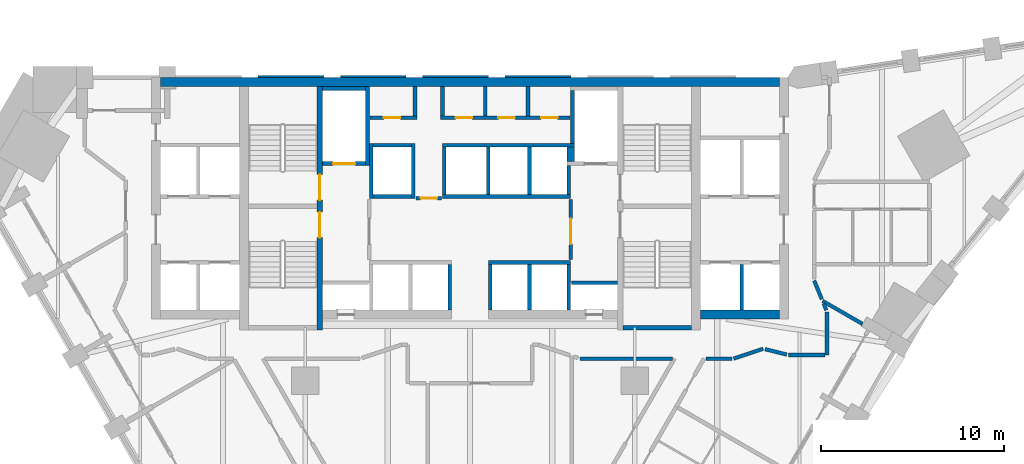
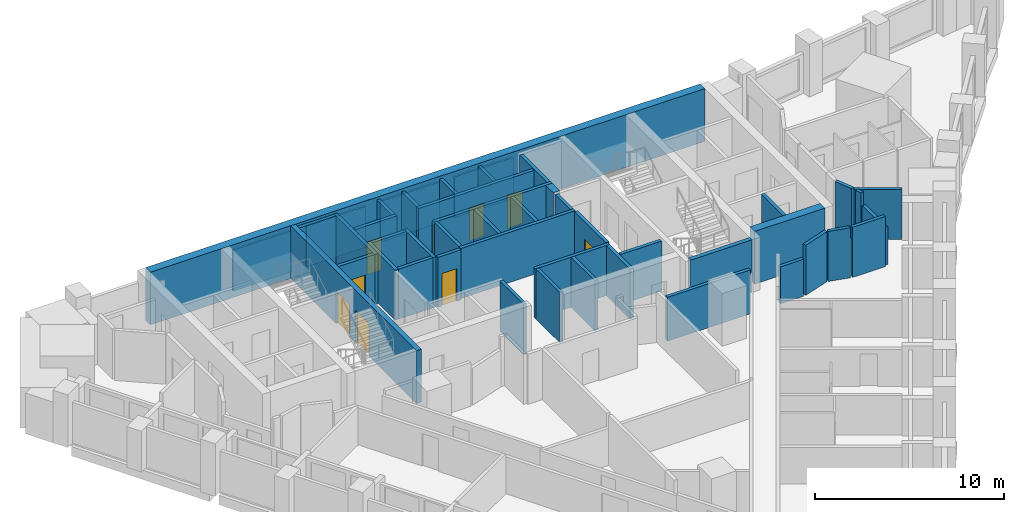
# One storey, part 7 of 11: 47 walls, 9 doors, 9 openings.
"""IFC4 building model written with IfcOpenShell, lengths in metres."""

import ifcopenshell
import ifcopenshell.guid

model = None  # the IFC model being written
_history = None  # IfcOwnerHistory: only IFC2X3 demands one
_inside = {}  # id of a spatial element -> (the spatial element, [elements in it])
_under = {}  # id of a project, library or spatial element -> (it, [spatial elements below it])
_declared = {}  # id of a project -> (the project, [libraries it declares])
_typed = {}  # id of a type object -> (the type object, [elements of that type])
_made_of = {}  # id of a material, layer set ... -> (it, [elements and type objects made of it])


def new_model(schema):
    """Start an empty IFC model of exactly this schema.

    Asked for "IFC4X3", IfcOpenShell would pick the latest addendum, in which some entities
    have other attributes; the version numbers below select the first issue.
    IFC2X3 requires an IfcOwnerHistory on every rooted entity: one is made here for all.
    """
    global model, _history
    if schema == "IFC4X3":
        model = ifcopenshell.file(schema_version=(4, 3, 0, 0))
    else:
        model = ifcopenshell.file(schema=schema)
    _inside.clear()
    _under.clear()
    _declared.clear()
    _typed.clear()
    _made_of.clear()
    _history = None
    if model.schema == "IFC2X3":
        org = make("IfcOrganization", Name="unknown")
        user = make(
            "IfcPersonAndOrganization",
            ThePerson=make("IfcPerson", FamilyName="unknown"),
            TheOrganization=org,
        )
        app = make(
            "IfcApplication",
            ApplicationDeveloper=org,
            Version="unknown",
            ApplicationFullName="unknown",
            ApplicationIdentifier="unknown",
        )
        _history = make(
            "IfcOwnerHistory",
            OwningUser=user,
            OwningApplication=app,
            ChangeAction="ADDED",
            CreationDate=0,
        )
    return model


def make(cls, **values):
    """One entity of the class cls with the attributes given. An attribute that is None is left unset."""
    return model.create_entity(
        cls, **{name: value for name, value in values.items() if value is not None}
    )


def rooted(cls, **values):
    """An entity with a GlobalId (a new one), such as an element, a storey or a relation."""
    return make(cls, GlobalId=ifcopenshell.guid.new(), OwnerHistory=_history, **values)


def si_unit(unit_type, name, prefix=None):
    """IfcSIUnit, for example si_unit("LENGTHUNIT", "METRE", prefix="MILLI")."""
    return make("IfcSIUnit", UnitType=unit_type, Prefix=prefix, Name=name)


def assignment(units):
    """IfcUnitAssignment: the units of a project."""
    return None if units is None else make("IfcUnitAssignment", Units=units)


def point(xyz):
    """IfcCartesianPoint."""
    return None if xyz is None else make("IfcCartesianPoint", Coordinates=xyz)


def direction(xyz):
    """IfcDirection."""
    return None if xyz is None else make("IfcDirection", DirectionRatios=xyz)


def frame(location, z_axis=None, x_axis=None):
    """IfcAxis2Placement3D, a coordinate frame: its origin and axes. An axis left out is left unset."""
    return make(
        "IfcAxis2Placement3D",
        Location=point(location),
        Axis=direction(z_axis),
        RefDirection=direction(x_axis),
    )


def frame_2d(location, x_axis=None):
    """IfcAxis2Placement2D, a coordinate frame in the plane: its origin and x axis."""
    return make(
        "IfcAxis2Placement2D", Location=point(location), RefDirection=direction(x_axis)
    )


def origin():
    """The frame at (0, 0, 0) with its axes left unset."""
    return frame((0.0, 0.0, 0.0))


def place(relative_to, where):
    """IfcLocalPlacement: puts the frame where relative to a parent placement (None: the world)."""
    return make(
        "IfcLocalPlacement", PlacementRelTo=relative_to, RelativePlacement=where
    )


def context(
    kind, dimensions, precision=None, world=None, true_north=None, identifier=None
):
    """IfcGeometricRepresentationContext, for example the 3D "Model" context."""
    return make(
        "IfcGeometricRepresentationContext",
        ContextIdentifier=identifier,
        ContextType=kind,
        CoordinateSpaceDimension=dimensions,
        Precision=precision,
        WorldCoordinateSystem=world,
        TrueNorth=true_north,
    )


def subcontext(parent, identifier, kind, view, scale=None):
    """IfcGeometricRepresentationSubContext, for example "Body" below "Model"."""
    return make(
        "IfcGeometricRepresentationSubContext",
        ContextIdentifier=identifier,
        ContextType=kind,
        ParentContext=parent,
        TargetScale=scale,
        TargetView=view,
    )


def project(units=None, contexts=None):
    """IfcProject with its units and contexts."""
    return rooted(
        "IfcProject",
        Name="project",
        RepresentationContexts=contexts,
        UnitsInContext=assignment(units),
    )


def spatial(cls, under=None, at=None, **own):
    """A site, building, storey or space (cls), placed at a placement, below another one or the project."""
    s = rooted(cls, ObjectPlacement=at, **own)
    if under is not None:
        _under.setdefault(under.id(), (under, []))[1].append(s)
    return s


def polyline(points):
    """IfcPolyline through the points."""
    return make("IfcPolyline", Points=[point(p) for p in points])


def profile(cls, at=None, kind="AREA", **sizes):
    """A parametric profile (cls). Its sizes go by their IFC names, for example OverallWidth=200.0."""
    return make(cls, ProfileType=kind, Position=at, **sizes)


def rectangle(**sizes):
    """IfcRectangleProfileDef."""
    return profile("IfcRectangleProfileDef", **sizes)


def outline(outer, holes=None, kind="AREA"):
    """IfcArbitraryClosedProfileDef: a profile drawn as a closed curve; with holes, ...WithVoids."""
    if holes is None:
        return make("IfcArbitraryClosedProfileDef", ProfileType=kind, OuterCurve=outer)
    return make(
        "IfcArbitraryProfileDefWithVoids",
        ProfileType=kind,
        OuterCurve=outer,
        InnerCurves=holes,
    )


def extrude(swept, where, along, depth):
    """IfcExtrudedAreaSolid: the profile swept, set in the frame where, extruded along a direction by depth."""
    return make(
        "IfcExtrudedAreaSolid",
        SweptArea=swept,
        Position=where,
        ExtrudedDirection=direction(along),
        Depth=depth,
    )


def shape(context_of_items, identifier, shape_type, items):
    """IfcShapeRepresentation: the items that make up one representation, for example the "Body"."""
    return make(
        "IfcShapeRepresentation",
        ContextOfItems=context_of_items,
        RepresentationIdentifier=identifier,
        RepresentationType=shape_type,
        Items=items,
    )


def material(Name=None, Category=None):
    """IfcMaterial."""
    return make("IfcMaterial", Name=Name, Category=Category)


def layer(
    of_material, thickness, ventilated=None, Name=None, Category=None, Priority=None
):
    """IfcMaterialLayer: one layer of a wall or slab, of a material (None: an air gap)."""
    return make(
        "IfcMaterialLayer",
        Material=of_material,
        LayerThickness=thickness,
        IsVentilated=ventilated,
        Name=Name,
        Category=Category,
        Priority=Priority,
    )


def layer_set(layers, Name=None):
    """IfcMaterialLayerSet."""
    return make("IfcMaterialLayerSet", MaterialLayers=layers, LayerSetName=Name)


def made_of(thing, what):
    """Note that an element or type object is made of a material, layer set ...; save() writes the relation."""
    if what is not None:
        _made_of.setdefault(what.id(), (what, []))[1].append(thing)
    return thing


def type_object(cls, material=None, **own):
    """A type object (cls), such as IfcWallType, which elements share."""
    return made_of(rooted(cls, **own), material)


def element(
    cls,
    number,
    at=None,
    inside=None,
    cuts=None,
    type_object=None,
    material=None,
    context=None,
    identifier="Body",
    shape_type=None,
    held_by="IfcProductDefinitionShape",
    body=None,
    shapes=None,
    **own,
):
    """One element of the class cls, such as IfcWall. Its Tag is "e" and its number.

    at: its placement. inside: the storey or other place that contains it. cuts: it is an
    opening in that element (IfcRelVoidsElement). A single representation is given by context,
    identifier, shape_type and body (its items); several are given by shapes. held_by: the class
    of the entity that holds the representations. save() writes the other relations.
    """
    e = rooted(cls, Tag="e%d" % number, ObjectPlacement=at, **own)
    if body is not None:
        shapes = [shape(context, identifier, shape_type, body)]
    if shapes is not None:
        e.Representation = make(held_by, Representations=shapes)
    if inside is not None:
        _inside.setdefault(inside.id(), (inside, []))[1].append(e)
    if cuts is not None:
        rooted(
            "IfcRelVoidsElement", RelatingBuildingElement=cuts, RelatedOpeningElement=e
        )
    if type_object is not None:
        _typed.setdefault(type_object.id(), (type_object, []))[1].append(e)
    return made_of(e, material)


def fill(opening, filler):
    """IfcRelFillsElement: the door or window that sits in an opening."""
    return rooted(
        "IfcRelFillsElement",
        RelatingOpeningElement=opening,
        RelatedBuildingElement=filler,
    )


def aggregate(whole, parts):
    """IfcRelAggregates: a whole, such as a stair, and the parts it consists of."""
    return rooted("IfcRelAggregates", RelatingObject=whole, RelatedObjects=parts)


def save(model, path):
    """Write the relations noted so far, then the file.

    IfcRelAggregates (storeys below a building ...), IfcRelContainedInSpatialStructure (elements
    in a storey), IfcRelDefinesByType, IfcRelAssociatesMaterial and IfcRelDeclares: one each for
    every whole, place, type object, material and project.
    """
    for whole, parts in _under.values():
        aggregate(whole, parts)
    for where, things in _inside.values():
        rooted(
            "IfcRelContainedInSpatialStructure",
            RelatedElements=things,
            RelatingStructure=where,
        )
    for kind, things in _typed.values():
        rooted("IfcRelDefinesByType", RelatedObjects=things, RelatingType=kind)
    for what, things in _made_of.values():
        rooted("IfcRelAssociatesMaterial", RelatedObjects=things, RelatingMaterial=what)
    for by, libraries in _declared.values():
        rooted("IfcRelDeclares", RelatingContext=by, RelatedDefinitions=libraries)
    model.write(path)


model = new_model("IFC4")

# Units and contexts
model_context = context("Model", 3, precision=1e-05, world=origin(), true_north=direction((0.0, 1.0)))
body_context = subcontext(model_context, "Body", "Model", "MODEL_VIEW")
ifc_project = project(units=[si_unit("LENGTHUNIT", "METRE"), si_unit("AREAUNIT", "SQUARE_METRE"), si_unit("VOLUMEUNIT", "CUBIC_METRE"), si_unit("PLANEANGLEUNIT", "RADIAN"), si_unit("MASSUNIT", "GRAM", prefix="KILO")], contexts=[model_context])

# Site, building, storey
site_placement = place(None, origin())
site = spatial("IfcSite", under=ifc_project, at=site_placement, CompositionType="ELEMENT")
building_placement = place(site_placement, origin())
building = spatial("IfcBuilding", under=site, at=building_placement, Name="Calabash Gate Tower", CompositionType="ELEMENT")
storey_placement = place(building_placement, frame((0.0, 0.0, 115.60009765625)))
storey = spatial("IfcBuildingStorey", under=building, at=storey_placement, Name="L26", CompositionType="ELEMENT", Elevation=115.60009765625)

# Walls
ifc_material_1 = material(Name="Gypsum board on steel studs, mineral wool", Category="steel")
ifc_layer_1 = layer(ifc_material_1, 0.199951171875)
ifc_layer_set_1 = layer_set([ifc_layer_1], Name="Core partition 200 gypsum board")
wall_type_1 = type_object("IfcWallType", Name="Core partition 200 gypsum board", PredefinedType="PARTITIONING", material=ifc_layer_set_1)
for number, where, z_axis, x_axis, name in (
    (1, (-3.0, 16.95263671875, 0.0), (0.0, 0.0, 1.0), (0.0, 1.0, 0.0), "Core partition"),
    (2, (-1.5, 16.95263671875, 0.0), (0.0, 0.0, 1.0), (0.0, 1.0, 0.0), "Core partition"),
    (3, (0.833251953125, 16.95263671875, 0.0), (0.0, 0.0, 1.0), (0.0, 1.0, 0.0), "Core partition"),
    (4, (3.166748046875, 16.95263671875, 0.0), (0.0, 0.0, 1.0), (0.0, 1.0, 0.0), "Core partition"),
):
    element("IfcWall", number, at=place(storey_placement, frame(where, z_axis=z_axis, x_axis=x_axis)), inside=storey, type_object=wall_type_1, Name=name, PredefinedType="PARTITIONING", context=body_context, shape_type="SweptSolid", body=[
        extrude(rectangle(XDim=1.599853515625, YDim=0.199951171875, at=frame_2d((0.7998046875, 0.0))), origin(), (0.0, 0.0, 1.0), 3.22998046875),
    ])
ifc_material_2 = material(Name="Concrete C80/95", Category="concrete")
ifc_layer_2 = layer(ifc_material_2, 0.25)
ifc_layer_set_2 = layer_set([ifc_layer_2], Name="Core wall 250 Concrete C80/95")
wall_type_2 = type_object("IfcWallType", Name="Core wall 250 Concrete C80/95", PredefinedType="SHEAR", material=ifc_layer_set_2)
wall_1_placement = place(storey_placement, frame((8.35009765625, 5.377685546875, 0.0), z_axis=(0.0, 0.0, 1.0), x_axis=(1.0, 0.0, 0.0)))
element("IfcWall", 5, at=wall_1_placement, inside=storey, type_object=wall_type_2, Name="Core wall Z2-SSE L26", PredefinedType="SHEAR", context=body_context, shape_type="SweptSolid", body=[
    extrude(rectangle(XDim=3.75, YDim=0.25, at=frame_2d((1.875, 0.0))), origin(), (0.0, 0.0, 1.0), 3.39990234375),
])

# Wall, openings, doors
ifc_material_3 = material(Name="Concrete C80/95", Category="concrete")
ifc_layer_3 = layer(ifc_material_3, 0.300048828125)
ifc_layer_set_3 = layer_set([ifc_layer_3], Name="Core wall 300 Concrete C80/95")
wall_type_3 = type_object("IfcWallType", Name="Core wall 300 Concrete C80/95", PredefinedType="SHEAR", material=ifc_layer_set_3)
wall_2_placement = place(storey_placement, frame((-8.199951171875, 5.252685546875, 0.0), z_axis=(0.0, 0.0, 1.0), x_axis=(0.0, 1.0, 0.0)))
wall_2 = element("IfcWall", 6, at=wall_2_placement, inside=storey, type_object=wall_type_3, Name="Core wall Z2-PARTW L26", PredefinedType="SHEAR", context=body_context, shape_type="SweptSolid", body=[
    extrude(rectangle(XDim=13.2998046875, YDim=0.300048828125, at=frame_2d((6.64990234375, 0.0))), origin(), (0.0, 0.0, 1.0), 3.39990234375),
])
opening_1_placement = place(wall_2_placement, frame((7.10009765625, 0.0, 0.0)))
opening_1 = element("IfcOpeningElement", 7, at=opening_1_placement, cuts=wall_2, Name="Opening H7-014", PredefinedType="OPENING", context=body_context, shape_type="SweptSolid", body=[
    extrude(rectangle(XDim=1.39990234375, YDim=2.10009765625, at=frame_2d((0.699951171875, 1.050048828125))), frame((0.0, 0.159912109375, 0.0), z_axis=(0.0, -1.0, 0.0), x_axis=(1.0, 0.0, 0.0)), (0.0, 0.0, 1.0), 0.320068359375),
])
opening_2_placement = place(wall_2_placement, frame((5.050048828125, 0.0, 0.0)))
opening_2 = element("IfcOpeningElement", 8, at=opening_2_placement, cuts=wall_2, Name="Opening H7-015", PredefinedType="OPENING", context=body_context, shape_type="SweptSolid", body=[
    extrude(rectangle(XDim=1.39990234375, YDim=2.10009765625, at=frame_2d((0.699951171875, 1.050048828125))), frame((0.0, 0.159912109375, 0.0), z_axis=(0.0, -1.0, 0.0), x_axis=(1.0, 0.0, 0.0)), (0.0, 0.0, 1.0), 0.320068359375),
])
ifc_material_4 = material(Name="Steel fire door set with fire-resisting glazing", Category="steel")
door_type_1 = type_object("IfcDoorType", Name="Fire door D05 1400x2100 FD90", OperationType="NOTDEFINED", PredefinedType="DOOR", material=ifc_material_4)
door_1_placement = place(opening_1_placement, origin())
door_1 = element("IfcDoor", 9, at=door_1_placement, inside=storey, type_object=door_type_1, Name="Exit stair door ST1", OperationType="SINGLE_SWING_LEFT", OverallHeight=2.10009765625, OverallWidth=1.39990234375, PredefinedType="DOOR", context=body_context, shape_type="SweptSolid", body=[
    extrude(rectangle(XDim=1.39990234375, YDim=2.10009765625, at=frame_2d((0.699951171875, 1.050048828125))), frame((0.0, 0.02490234375, 0.0), z_axis=(0.0, -1.0, 0.0), x_axis=(1.0, 0.0, 0.0)), (0.0, 0.0, 1.0), 0.050048828125),
])
fill(opening_1, door_1)
door_2_placement = place(opening_2_placement, origin())
door_2 = element("IfcDoor", 10, at=door_2_placement, inside=storey, type_object=door_type_1, Name="Exit stair door ST2", OperationType="SINGLE_SWING_LEFT", OverallHeight=2.10009765625, OverallWidth=1.39990234375, PredefinedType="DOOR", context=body_context, shape_type="SweptSolid", body=[
    extrude(rectangle(XDim=1.39990234375, YDim=2.10009765625, at=frame_2d((0.699951171875, 1.050048828125))), frame((0.0, 0.02490234375, 0.0), z_axis=(0.0, -1.0, 0.0), x_axis=(1.0, 0.0, 0.0)), (0.0, 0.0, 1.0), 0.050048828125),
])
fill(opening_2, door_2)

# Walls
ifc_material_5 = material(Name="Concrete C80/95", Category="concrete")
ifc_layer_4 = layer(ifc_material_5, 0.5)
ifc_layer_set_4 = layer_set([ifc_layer_4], Name="Core wall 500 Concrete C80/95")
wall_type_4 = type_object("IfcWallType", Name="Core wall 500 Concrete C80/95", PredefinedType="SHEAR", material=ifc_layer_set_4)
wall_3_placement = place(storey_placement, frame((-16.89990234375, 18.802490234375, 0.0), z_axis=(0.0, 0.0, 1.0), x_axis=(1.0, 0.0, 0.0)))
element("IfcWall", 11, at=wall_3_placement, inside=storey, type_object=wall_type_4, Name="Core wall Z2-N L26", PredefinedType="SHEAR", context=body_context, shape_type="SweptSolid", body=[
    extrude(rectangle(XDim=33.7998046875, YDim=0.5, at=frame_2d((16.89990234375, 0.0))), origin(), (0.0, 0.0, 1.0), 3.39990234375),
])
wall_4_placement = place(storey_placement, frame((12.60009765625, 6.1025390625, 0.0), z_axis=(0.0, 0.0, 1.0), x_axis=(1.0, 0.0, 0.0)))
element("IfcWall", 12, at=wall_4_placement, inside=storey, type_object=wall_type_4, Name="Core wall Z2-SE L26", PredefinedType="SHEAR", context=body_context, shape_type="SweptSolid", body=[
    extrude(rectangle(XDim=4.2998046875, YDim=0.5, at=frame_2d((2.14990234375, 0.0))), origin(), (0.0, 0.0, 1.0), 3.39990234375),
])
ifc_material_6 = material(Name="Gypsum board on steel studs, mineral wool", Category="steel")
ifc_layer_5 = layer(ifc_material_6, 0.199951171875)
ifc_layer_set_5 = layer_set([ifc_layer_5], Name="Partition 200 gypsum board EI 60")
wall_type_5 = type_object("IfcWallType", Name="Partition 200 gypsum board EI 60", PredefinedType="PARTITIONING", material=ifc_layer_set_5)
wall_5_placement = place(storey_placement, frame((6.0, 3.69970703125, 0.0), z_axis=(0.0, 0.0, 1.0), x_axis=(1.0, 0.0, 0.0)))
element("IfcWall", 13, at=wall_5_placement, inside=storey, type_object=wall_type_5, Name="Partition", PredefinedType="PARTITIONING", context=body_context, shape_type="SweptSolid", body=[
    extrude(rectangle(XDim=5.064697265625, YDim=0.199951171875, at=frame_2d((2.5322265625, 0.0))), origin(), (0.0, 0.0, 1.0), 2.83154296875),
])
wall_6_placement = place(storey_placement, frame((12.8818359375, 3.699462890625, 0.0), z_axis=(0.0, 0.0, 1.0), x_axis=(1.0, 0.0, 0.0)))
element("IfcWall", 14, at=wall_6_placement, inside=storey, type_object=wall_type_5, Name="Partition", PredefinedType="PARTITIONING", context=body_context, shape_type="SweptSolid", body=[
    extrude(rectangle(XDim=1.418212890625, YDim=0.199951171875, at=frame_2d((0.708984375, 0.0))), origin(), (0.0, 0.0, 1.0), 2.384033203125),
])
wall_7_placement = place(storey_placement, frame((17.39990234375, 3.8994140625, 0.0), z_axis=(0.0, 0.0, 1.0), x_axis=(0.999999992551, 0.000122055412, 0.0)))
element("IfcWall", 15, at=wall_7_placement, inside=storey, type_object=wall_type_5, Name="Partition", PredefinedType="PARTITIONING", context=body_context, shape_type="SweptSolid", body=[
    extrude(rectangle(XDim=2.000244140625, YDim=0.199951171875, at=frame_2d((1.0, 0.0))), origin(), (0.0, 0.0, 1.0), 3.22998046875),
])
wall_8_placement = place(storey_placement, frame((16.11328125, 4.21435546875, 0.0), z_axis=(0.0, 0.0, 1.0), x_axis=(0.971349931971, -0.237653760039, 0.0)))
element("IfcWall", 16, at=wall_8_placement, inside=storey, type_object=wall_type_5, Name="Partition", PredefinedType="PARTITIONING", context=body_context, shape_type="SweptSolid", body=[
    extrude(rectangle(XDim=1.224609375, YDim=0.199951171875, at=frame_2d((0.6123046875, 0.0))), origin(), (0.0, 0.0, 1.0), 3.22998046875),
])
wall_9_placement = place(storey_placement, frame((14.400146484375, 3.699462890625, 0.0), z_axis=(0.0, 0.0, 1.0), x_axis=(0.948654629562, 0.31631375849, 0.0)))
element("IfcWall", 17, at=wall_9_placement, inside=storey, type_object=wall_type_5, Name="Partition", PredefinedType="PARTITIONING", context=body_context, shape_type="SweptSolid", body=[
    extrude(rectangle(XDim=1.703369140625, YDim=0.199951171875, at=frame_2d((0.8515625, 0.0))), origin(), (0.0, 0.0, 1.0), 3.22998046875),
])
wall_10_placement = place(storey_placement, frame((19.25537109375, 6.85205078125, 0.0), z_axis=(0.0, 0.0, 1.0), x_axis=(0.866364592695, -0.499412046835, 0.0)))
element("IfcWall", 18, at=wall_10_placement, inside=storey, type_object=wall_type_5, Name="Partition", PredefinedType="PARTITIONING", context=body_context, shape_type="SweptSolid", body=[
    extrude(rectangle(XDim=2.51953125, YDim=0.199951171875, at=frame_2d((1.259765625, 0.0))), origin(), (0.0, 0.0, 1.0), 3.22998046875),
])
wall_11_placement = place(storey_placement, frame((19.500244140625, 3.899658203125, 0.0), z_axis=(0.0, 0.0, 1.0), x_axis=(0.000103755965, 0.999999994617, 0.0)))
element("IfcWall", 19, at=wall_11_placement, inside=storey, type_object=wall_type_5, Name="Partition", PredefinedType="PARTITIONING", context=body_context, shape_type="SweptSolid", body=[
    extrude(rectangle(XDim=2.35302734375, YDim=0.199951171875, at=frame_2d((1.176513671875, 0.0))), origin(), (0.0, 0.0, 1.0), 2.449951171875),
])
wall_12_placement = place(storey_placement, frame((19.317138671875, 6.700927734375, 0.0), z_axis=(0.0, 0.0, 1.0), x_axis=(0.378608110245, -0.925557074878, 0.0)))
element("IfcWall", 20, at=wall_12_placement, inside=storey, type_object=wall_type_5, Name="Partition", PredefinedType="PARTITIONING", context=body_context, shape_type="SweptSolid", body=[
    extrude(rectangle(XDim=0.38427734375, YDim=0.199951171875, at=frame_2d((0.192138671875, 0.0))), origin(), (0.0, 0.0, 1.0), 3.22998046875),
])
wall_13_placement = place(storey_placement, frame((18.800537109375, 7.95263671875, 0.0), z_axis=(0.0, 0.0, 1.0), x_axis=(0.381856038323, -0.924221816447, 0.0)))
element("IfcWall", 21, at=wall_13_placement, inside=storey, type_object=wall_type_5, Name="Partition", PredefinedType="PARTITIONING", context=body_context, shape_type="SweptSolid", body=[
    extrude(rectangle(XDim=1.087646484375, YDim=0.199951171875, at=frame_2d((0.5439453125, 0.0))), origin(), (0.0, 0.0, 1.0), 3.22998046875),
])
ifc_material_7 = material(Name="Concrete C40/50", Category="concrete")
ifc_layer_6 = layer(ifc_material_7, 0.199951171875)
ifc_layer_set_6 = layer_set([ifc_layer_6], Name="Shaft wall 200 Concrete C40/50")
wall_type_6 = type_object("IfcWallType", Name="Shaft wall 200 Concrete C40/50", PredefinedType="SOLIDWALL", material=ifc_layer_set_6)
for number, where, z_axis, x_axis, name in (
    (22, (-1.10009765625, 6.3525390625, 0.0), (0.0, 0.0, 1.0), (0.0, 1.0, 0.0), "Shaft wall"),
    (23, (1.10009765625, 6.3525390625, 0.0), (0.0, 0.0, 1.0), (0.0, 1.0, 0.0), "Shaft wall"),
    (24, (3.25, 6.3525390625, 0.0), (0.0, 0.0, 1.0), (0.0, 1.0, 0.0), "Shaft wall"),
    (25, (5.39990234375, 6.3525390625, 0.0), (0.0, 0.0, 1.0), (0.0, 1.0, 0.0), "Shaft wall"),
    (26, (14.85009765625, 6.3525390625, 0.0), (0.0, 0.0, 1.0), (0.0, 1.0, 0.0), "Shaft wall"),
    (27, (5.550048828125, 7.8525390625, 0.0), (0.0, 0.0, 1.0), (1.0, 0.0, 0.0), "Shaft wall"),
):
    element("IfcWall", number, at=place(storey_placement, frame(where, z_axis=z_axis, x_axis=x_axis)), inside=storey, type_object=wall_type_6, Name=name, PredefinedType="SOLIDWALL", context=body_context, shape_type="SweptSolid", body=[
        extrude(rectangle(XDim=2.5, YDim=0.199951171875, at=frame_2d((1.25, 0.0))), origin(), (0.0, 0.0, 1.0), 3.22998046875),
    ])
wall_14_placement = place(storey_placement, frame((1.0, 8.95263671875, 0.0), z_axis=(0.0, 0.0, 1.0), x_axis=(1.0, 0.0, 0.0)))
element("IfcWall", 28, at=wall_14_placement, inside=storey, type_object=wall_type_6, Name="Shaft wall", PredefinedType="SOLIDWALL", context=body_context, shape_type="SweptSolid", body=[
    extrude(rectangle(XDim=4.5, YDim=0.199951171875, at=frame_2d((2.25, 0.0))), origin(), (0.0, 0.0, 1.0), 3.22998046875),
])

# Wall, opening, door
wall_15_placement = place(storey_placement, frame((5.5, 9.1025390625, 0.0), z_axis=(0.0, 0.0, 1.0), x_axis=(0.0, 1.0, 0.0)))
wall_15 = element("IfcWall", 29, at=wall_15_placement, inside=storey, type_object=wall_type_6, Name="Shaft wall", PredefinedType="SOLIDWALL", context=body_context, shape_type="SweptSolid", body=[
    extrude(rectangle(XDim=3.300048828125, YDim=0.199951171875, at=frame_2d((1.64990234375, 0.0))), origin(), (0.0, 0.0, 1.0), 3.22998046875),
])
opening_3_placement = place(wall_15_placement, frame((0.85009765625, 0.0, 0.0)))
opening_3 = element("IfcOpeningElement", 30, at=opening_3_placement, cuts=wall_15, Name="Opening H7-006", PredefinedType="OPENING", context=body_context, shape_type="SweptSolid", body=[
    extrude(rectangle(XDim=1.39990234375, YDim=2.10009765625, at=frame_2d((0.699951171875, 1.050048828125))), frame((0.0, 0.10986328125, 0.0), z_axis=(0.0, -1.0, 0.0), x_axis=(1.0, 0.0, 0.0)), (0.0, 0.0, 1.0), 0.219970703125),
])
door_3_placement = place(opening_3_placement, origin())
door_3 = element("IfcDoor", 31, at=door_3_placement, inside=storey, type_object=door_type_1, Name="Firefighting Lobby E door", OperationType="SINGLE_SWING_LEFT", OverallHeight=2.10009765625, OverallWidth=1.39990234375, PredefinedType="DOOR", context=body_context, shape_type="SweptSolid", body=[
    extrude(rectangle(XDim=1.39990234375, YDim=2.10009765625, at=frame_2d((0.699951171875, 1.050048828125))), frame((0.0, 0.02490234375, 0.0), z_axis=(0.0, -1.0, 0.0), x_axis=(1.0, 0.0, 0.0)), (0.0, 0.0, 1.0), 0.050048828125),
])
fill(opening_3, door_3)

wall_16_placement = place(storey_placement, frame((-2.949951171875, 12.45263671875, 0.0), z_axis=(0.0, 0.0, 1.0), x_axis=(1.0, 0.0, 0.0)))
wall_16 = element("IfcWall", 32, at=wall_16_placement, inside=storey, type_object=wall_type_6, Name="Shaft wall", PredefinedType="SOLIDWALL", context=body_context, shape_type="SweptSolid", body=[
    extrude(rectangle(XDim=1.39990234375, YDim=0.199951171875, at=frame_2d((0.699951171875, 0.0))), origin(), (0.0, 0.0, 1.0), 3.22998046875),
])
opening_4_placement = place(wall_16_placement, frame((0.25, 0.0, 0.0)))
opening_4 = element("IfcOpeningElement", 33, at=opening_4_placement, cuts=wall_16, Name="Opening H7-005", PredefinedType="OPENING", context=body_context, shape_type="SweptSolid", body=[
    extrude(rectangle(XDim=0.89990234375, YDim=2.10009765625, at=frame_2d((0.449951171875, 1.050048828125))), frame((0.0, 0.10986328125, 0.0), z_axis=(0.0, -1.0, 0.0), x_axis=(1.0, 0.0, 0.0)), (0.0, 0.0, 1.0), 0.219970703125),
])
ifc_material_8 = material(Name="Steel fire door set with fire-resisting glazing", Category="steel")
door_type_2 = type_object("IfcDoorType", Name="Fire door D06 900x2100 FD60", OperationType="NOTDEFINED", PredefinedType="DOOR", material=ifc_material_8)
door_4_placement = place(opening_4_placement, origin())
door_4 = element("IfcDoor", 34, at=door_4_placement, inside=storey, type_object=door_type_2, Name="Service Corridor door", OperationType="SINGLE_SWING_RIGHT", OverallHeight=2.10009765625, OverallWidth=0.89990234375, PredefinedType="DOOR", context=body_context, shape_type="SweptSolid", body=[
    extrude(rectangle(XDim=0.89990234375, YDim=2.10009765625, at=frame_2d((0.449951171875, 1.050048828125))), frame((0.0, 0.02490234375, 0.0), z_axis=(0.0, -1.0, 0.0), x_axis=(1.0, 0.0, 0.0)), (0.0, 0.0, 1.0), 0.050048828125),
])
fill(opening_4, door_4)

# Walls
wall_17_placement = place(storey_placement, frame((-5.39990234375, 12.45263671875, 0.0), z_axis=(0.0, 0.0, 1.0), x_axis=(0.0, 1.0, 0.0)))
element("IfcWall", 35, at=wall_17_placement, inside=storey, type_object=wall_type_6, Name="Shaft wall", PredefinedType="SOLIDWALL", context=body_context, shape_type="SweptSolid", body=[
    extrude(rectangle(XDim=3.0, YDim=0.199951171875, at=frame_2d((1.5, 0.0))), origin(), (0.0, 0.0, 1.0), 3.22998046875),
])
wall_18_placement = place(storey_placement, frame((-5.300048828125, 12.552490234375, 0.0), z_axis=(0.0, 0.0, 1.0), x_axis=(1.0, 0.0, 0.0)))
element("IfcWall", 36, at=wall_18_placement, inside=storey, type_object=wall_type_6, Name="Shaft wall", PredefinedType="SOLIDWALL", context=body_context, shape_type="SweptSolid", body=[
    extrude(rectangle(XDim=2.10009765625, YDim=0.199951171875, at=frame_2d((1.050048828125, 0.0))), origin(), (0.0, 0.0, 1.0), 3.22998046875),
])
wall_19_placement = place(storey_placement, frame((-3.10009765625, 12.45263671875, 0.0), z_axis=(0.0, 0.0, 1.0), x_axis=(0.0, 1.0, 0.0)))
element("IfcWall", 37, at=wall_19_placement, inside=storey, type_object=wall_type_6, Name="Shaft wall", PredefinedType="SOLIDWALL", context=body_context, shape_type="SweptSolid", body=[
    extrude(rectangle(XDim=3.0, YDim=0.199951171875, at=frame_2d((1.5, 0.0))), origin(), (0.0, 0.0, 1.0), 3.22998046875),
])
wall_20_placement = place(storey_placement, frame((-1.5, 12.552490234375, 0.0), z_axis=(0.0, 0.0, 1.0), x_axis=(1.0, 0.0, 0.0)))
element("IfcWall", 38, at=wall_20_placement, inside=storey, type_object=wall_type_6, Name="Shaft wall", PredefinedType="SOLIDWALL", context=body_context, shape_type="SweptSolid", body=[
    extrude(rectangle(XDim=7.0, YDim=0.199951171875, at=frame_2d((3.5, 0.0))), origin(), (0.0, 0.0, 1.0), 3.22998046875),
])
for number, where, z_axis, x_axis, name in (
    (39, (-1.39990234375, 12.652587890625, 0.0), (0.0, 0.0, 1.0), (0.0, 1.0, 0.0), "Shaft wall"),
    (40, (1.0, 12.652587890625, 0.0), (0.0, 0.0, 1.0), (0.0, 1.0, 0.0), "Shaft wall"),
    (41, (3.25, 12.652587890625, 0.0), (0.0, 0.0, 1.0), (0.0, 1.0, 0.0), "Shaft wall"),
):
    element("IfcWall", number, at=place(storey_placement, frame(where, z_axis=z_axis, x_axis=x_axis)), inside=storey, type_object=wall_type_6, Name=name, PredefinedType="SOLIDWALL", context=body_context, shape_type="SweptSolid", body=[
        extrude(rectangle(XDim=2.60009765625, YDim=0.199951171875, at=frame_2d((1.300048828125, 0.0))), origin(), (0.0, 0.0, 1.0), 3.22998046875),
    ])
wall_21_placement = place(storey_placement, frame((5.39990234375, 12.652587890625, 0.0), z_axis=(0.0, 0.0, 1.0), x_axis=(0.0, 1.0, 0.0)))
element("IfcWall", 42, at=wall_21_placement, inside=storey, type_object=wall_type_6, Name="Shaft wall", PredefinedType="SOLIDWALL", context=body_context, shape_type="SweptSolid", body=[
    extrude(rectangle(XDim=1.60009765625, YDim=0.199951171875, at=frame_2d((0.800048828125, 0.0))), origin(), (0.0, 0.0, 1.0), 3.22998046875),
])

# Wall, opening, door
wall_22_placement = place(storey_placement, frame((-8.050048828125, 14.3525390625, 0.0), z_axis=(0.0, 0.0, 1.0), x_axis=(1.0, 0.0, 0.0)))
wall_22 = element("IfcWall", 43, at=wall_22_placement, inside=storey, type_object=wall_type_6, Name="Shaft wall", PredefinedType="SOLIDWALL", context=body_context, shape_type="SweptSolid", body=[
    extrude(rectangle(XDim=2.35009765625, YDim=0.199951171875, at=frame_2d((1.175048828125, 0.0))), origin(), (0.0, 0.0, 1.0), 3.22998046875),
])
opening_5_placement = place(wall_22_placement, frame((0.574951171875, 0.0, 0.0)))
opening_5 = element("IfcOpeningElement", 44, at=opening_5_placement, cuts=wall_22, Name="Opening LD-FF1", PredefinedType="OPENING", context=body_context, shape_type="SweptSolid", body=[
    extrude(rectangle(XDim=1.199951171875, YDim=2.10009765625, at=frame_2d((0.60009765625, 1.050048828125))), frame((0.0, 0.10986328125, 0.0), z_axis=(0.0, -1.0, 0.0), x_axis=(1.0, 0.0, 0.0)), (0.0, 0.0, 1.0), 0.219970703125),
])
ifc_material_9 = material(Name="Stainless steel sliding door leaves", Category="steel")
door_type_3 = type_object("IfcDoorType", Name="Lift landing door LS3 1200x2100 FD90", OperationType="DOUBLE_DOOR_SLIDING", PredefinedType="DOOR", material=ifc_material_9)
door_5_placement = place(opening_5_placement, origin())
door_5 = element("IfcDoor", 45, at=door_5_placement, inside=storey, type_object=door_type_3, Name="Lift landing door FF1", OperationType="DOUBLE_DOOR_SLIDING", OverallHeight=2.10009765625, OverallWidth=1.199951171875, PredefinedType="DOOR", context=body_context, shape_type="SweptSolid", body=[
    extrude(rectangle(XDim=1.199951171875, YDim=2.10009765625, at=frame_2d((0.60009765625, 1.050048828125))), frame((0.0, 0.02490234375, 0.0), z_axis=(0.0, -1.0, 0.0), x_axis=(1.0, 0.0, 0.0)), (0.0, 0.0, 1.0), 0.050048828125),
])
fill(opening_5, door_5)

# Walls
wall_23_placement = place(storey_placement, frame((-5.60009765625, 14.252685546875, 0.0), z_axis=(0.0, 0.0, 1.0), x_axis=(0.0, 1.0, 0.0)))
element("IfcWall", 46, at=wall_23_placement, inside=storey, type_object=wall_type_6, Name="Shaft wall", PredefinedType="SOLIDWALL", context=body_context, shape_type="SweptSolid", body=[
    extrude(rectangle(XDim=4.2998046875, YDim=0.199951171875, at=frame_2d((2.14990234375, 0.0))), origin(), (0.0, 0.0, 1.0), 3.22998046875),
])
wall_24_placement = place(storey_placement, frame((5.5, 14.45263671875, 0.0), z_axis=(0.0, 0.0, 1.0), x_axis=(0.0, 1.0, 0.0)))
element("IfcWall", 47, at=wall_24_placement, inside=storey, type_object=wall_type_6, Name="Shaft wall", PredefinedType="SOLIDWALL", context=body_context, shape_type="SweptSolid", body=[
    extrude(rectangle(XDim=0.800048828125, YDim=0.39990234375, at=frame_2d((0.39990234375, 0.0))), origin(), (0.0, 0.0, 1.0), 3.22998046875),
])
wall_25_placement = place(storey_placement, frame((-5.300048828125, 15.3525390625, 0.0), z_axis=(0.0, 0.0, 1.0), x_axis=(1.0, 0.0, 0.0)))
element("IfcWall", 48, at=wall_25_placement, inside=storey, type_object=wall_type_6, Name="Shaft wall", PredefinedType="SOLIDWALL", context=body_context, shape_type="SweptSolid", body=[
    extrude(rectangle(XDim=2.10009765625, YDim=0.199951171875, at=frame_2d((1.050048828125, 0.0))), origin(), (0.0, 0.0, 1.0), 3.22998046875),
])
wall_26_placement = place(storey_placement, frame((-1.5, 15.3525390625, 0.0), z_axis=(0.0, 0.0, 1.0), x_axis=(1.0, 0.0, 0.0)))
element("IfcWall", 49, at=wall_26_placement, inside=storey, type_object=wall_type_6, Name="Shaft wall", PredefinedType="SOLIDWALL", context=body_context, shape_type="SweptSolid", body=[
    extrude(rectangle(XDim=7.199951171875, YDim=0.199951171875, at=frame_2d((3.60009765625, 0.0))), origin(), (0.0, 0.0, 1.0), 3.22998046875),
])
wall_27_placement = place(storey_placement, frame((5.60009765625, 15.45263671875, 0.0), z_axis=(0.0, 0.0, 1.0), x_axis=(0.0, 1.0, 0.0)))
element("IfcWall", 50, at=wall_27_placement, inside=storey, type_object=wall_type_6, Name="Shaft wall", PredefinedType="SOLIDWALL", context=body_context, shape_type="SweptSolid", body=[
    extrude(rectangle(XDim=2.89990234375, YDim=0.199951171875, at=frame_2d((1.449951171875, 0.0))), origin(), (0.0, 0.0, 1.0), 3.22998046875),
])

# Wall, opening, door
wall_28_placement = place(storey_placement, frame((-5.449951171875, 16.8525390625, 0.0), z_axis=(0.0, 0.0, 1.0), x_axis=(1.0, 0.0, 0.0)))
wall_28 = element("IfcWall", 51, at=wall_28_placement, inside=storey, type_object=wall_type_6, Name="Shaft wall", PredefinedType="SOLIDWALL", context=body_context, shape_type="SweptSolid", body=[
    extrude(rectangle(XDim=2.550048828125, YDim=0.199951171875, at=frame_2d((1.27490234375, 0.0))), origin(), (0.0, 0.0, 1.0), 3.22998046875),
])
opening_6_placement = place(wall_28_placement, frame((0.75, 0.0, 0.0)))
opening_6 = element("IfcOpeningElement", 52, at=opening_6_placement, cuts=wall_28, Name="Opening H7-008", PredefinedType="OPENING", context=body_context, shape_type="SweptSolid", body=[
    extrude(rectangle(XDim=0.89990234375, YDim=2.10009765625, at=frame_2d((0.449951171875, 1.050048828125))), frame((0.0, 0.10986328125, 0.0), z_axis=(0.0, -1.0, 0.0), x_axis=(1.0, 0.0, 0.0)), (0.0, 0.0, 1.0), 0.219970703125),
])
door_6_placement = place(opening_6_placement, origin())
door_6 = element("IfcDoor", 53, at=door_6_placement, inside=storey, type_object=door_type_2, Name="Housekeeping Store door", OperationType="SINGLE_SWING_LEFT", OverallHeight=2.10009765625, OverallWidth=0.89990234375, PredefinedType="DOOR", context=body_context, shape_type="SweptSolid", body=[
    extrude(rectangle(XDim=0.89990234375, YDim=2.10009765625, at=frame_2d((0.449951171875, 1.050048828125))), frame((0.0, 0.02490234375, 0.0), z_axis=(0.0, -1.0, 0.0), x_axis=(1.0, 0.0, 0.0)), (0.0, 0.0, 1.0), 0.050048828125),
])
fill(opening_6, door_6)

# Wall, openings, doors
wall_29_placement = place(storey_placement, frame((-1.60009765625, 16.8525390625, 0.0), z_axis=(0.0, 0.0, 1.0), x_axis=(1.0, 0.0, 0.0)))
wall_29 = element("IfcWall", 54, at=wall_29_placement, inside=storey, type_object=wall_type_6, Name="Shaft wall", PredefinedType="SOLIDWALL", context=body_context, shape_type="SweptSolid", body=[
    extrude(rectangle(XDim=7.050048828125, YDim=0.199951171875, at=frame_2d((3.52490234375, 0.0))), origin(), (0.0, 0.0, 1.0), 3.22998046875),
])
opening_7_placement = place(wall_29_placement, frame((0.816650390625, 0.0, 0.0)))
opening_7 = element("IfcOpeningElement", 55, at=opening_7_placement, cuts=wall_29, Name="Opening H7-009", PredefinedType="OPENING", context=body_context, shape_type="SweptSolid", body=[
    extrude(rectangle(XDim=0.89990234375, YDim=2.10009765625, at=frame_2d((0.449951171875, 1.050048828125))), frame((0.0, 0.10986328125, 0.0), z_axis=(0.0, -1.0, 0.0), x_axis=(1.0, 0.0, 0.0)), (0.0, 0.0, 1.0), 0.219970703125),
])
opening_8_placement = place(wall_29_placement, frame((3.14990234375, 0.0, 0.0)))
opening_8 = element("IfcOpeningElement", 56, at=opening_8_placement, cuts=wall_29, Name="Opening H7-010", PredefinedType="OPENING", context=body_context, shape_type="SweptSolid", body=[
    extrude(rectangle(XDim=0.89990234375, YDim=2.10009765625, at=frame_2d((0.449951171875, 1.050048828125))), frame((0.0, 0.10986328125, 0.0), z_axis=(0.0, -1.0, 0.0), x_axis=(1.0, 0.0, 0.0)), (0.0, 0.0, 1.0), 0.219970703125),
])
opening_9_placement = place(wall_29_placement, frame((5.4833984375, 0.0, 0.0)))
opening_9 = element("IfcOpeningElement", 57, at=opening_9_placement, cuts=wall_29, Name="Opening H7-011", PredefinedType="OPENING", context=body_context, shape_type="SweptSolid", body=[
    extrude(rectangle(XDim=0.89990234375, YDim=2.10009765625, at=frame_2d((0.449951171875, 1.050048828125))), frame((0.0, 0.10986328125, 0.0), z_axis=(0.0, -1.0, 0.0), x_axis=(1.0, 0.0, 0.0)), (0.0, 0.0, 1.0), 0.219970703125),
])
door_7_placement = place(opening_7_placement, origin())
door_7 = element("IfcDoor", 58, at=door_7_placement, inside=storey, type_object=door_type_2, Name="Linen Store door", OperationType="SINGLE_SWING_LEFT", OverallHeight=2.10009765625, OverallWidth=0.89990234375, PredefinedType="DOOR", context=body_context, shape_type="SweptSolid", body=[
    extrude(rectangle(XDim=0.89990234375, YDim=2.10009765625, at=frame_2d((0.449951171875, 1.050048828125))), frame((0.0, 0.02490234375, 0.0), z_axis=(0.0, -1.0, 0.0), x_axis=(1.0, 0.0, 0.0)), (0.0, 0.0, 1.0), 0.050048828125),
])
fill(opening_7, door_7)
door_8_placement = place(opening_8_placement, origin())
door_8 = element("IfcDoor", 59, at=door_8_placement, inside=storey, type_object=door_type_2, Name="Ice and Vending door", OperationType="SINGLE_SWING_LEFT", OverallHeight=2.10009765625, OverallWidth=0.89990234375, PredefinedType="DOOR", context=body_context, shape_type="SweptSolid", body=[
    extrude(rectangle(XDim=0.89990234375, YDim=2.10009765625, at=frame_2d((0.449951171875, 1.050048828125))), frame((0.0, 0.02490234375, 0.0), z_axis=(0.0, -1.0, 0.0), x_axis=(1.0, 0.0, 0.0)), (0.0, 0.0, 1.0), 0.050048828125),
])
fill(opening_8, door_8)
door_9_placement = place(opening_9_placement, origin())
door_9 = element("IfcDoor", 60, at=door_9_placement, inside=storey, type_object=door_type_2, Name="Cleaner's Store door", OperationType="SINGLE_SWING_RIGHT", OverallHeight=2.10009765625, OverallWidth=0.89990234375, PredefinedType="DOOR", context=body_context, shape_type="SweptSolid", body=[
    extrude(rectangle(XDim=0.89990234375, YDim=2.10009765625, at=frame_2d((0.449951171875, 1.050048828125))), frame((0.0, 0.02490234375, 0.0), z_axis=(0.0, -1.0, 0.0), x_axis=(1.0, 0.0, 0.0)), (0.0, 0.0, 1.0), 0.050048828125),
])
fill(opening_9, door_9)

# Walls
wall_30_placement = place(storey_placement, frame((-8.050048828125, 18.45263671875, 0.0), z_axis=(0.0, 0.0, 1.0), x_axis=(1.0, 0.0, 0.0)))
element("IfcWall", 61, at=wall_30_placement, inside=storey, type_object=wall_type_6, Name="Shaft wall", PredefinedType="SOLIDWALL", context=body_context, shape_type="SweptSolid", body=[
    extrude(rectangle(XDim=2.35009765625, YDim=0.199951171875, at=frame_2d((1.175048828125, 0.0))), origin(), (0.0, 0.0, 1.0), 3.22998046875),
])
ifc_material_10 = material(Name="Terracotta brick masonry, perforated", Category="masonry")
ifc_layer_7 = layer(ifc_material_10, 0.1201171875)
ifc_layer_set_7 = layer_set([ifc_layer_7], Name="Terracotta jaali cladding A 120")
wall_type_7 = type_object("IfcWallType", Name="Terracotta jaali cladding A 120", PredefinedType="SOLIDWALL", material=ifc_layer_set_7)
wall_31_placement = place(storey_placement, origin())
element("IfcWall", 62, at=wall_31_placement, inside=storey, type_object=wall_type_7, Name="Jaali cladding S07 N6.3", PredefinedType="SOLIDWALL", context=body_context, shape_type="SweptSolid", body=[
    extrude(outline(polyline([(1.9169921875, 19.172607421875), (1.9169921875, 19.052490234375), (5.51708984375, 19.052490234375), (5.51708984375, 19.172607421875), (1.9169921875, 19.172607421875)])), origin(), (0.0, 0.0, 1.0), 2.64990234375),
])
wall_32_placement = place(storey_placement, origin())
element("IfcWall", 63, at=wall_32_placement, inside=storey, type_object=wall_type_7, Name="Jaali cladding S07 N6.5", PredefinedType="SOLIDWALL", context=body_context, shape_type="SweptSolid", body=[
    extrude(outline(polyline([(-7.0830078125, 19.172607421875), (-7.0830078125, 19.052490234375), (-3.48291015625, 19.052490234375), (-3.48291015625, 19.172607421875), (-7.0830078125, 19.172607421875)])), origin(), (0.0, 0.0, 1.0), 2.64990234375),
])
ifc_material_11 = material(Name="Terracotta louvre blades in an aluminium frame", Category="masonry")
ifc_layer_8 = layer(ifc_material_11, 0.1201171875)
ifc_layer_set_8 = layer_set([ifc_layer_8], Name="Terracotta vent louvre cladding 120")
wall_type_8 = type_object("IfcWallType", Name="Terracotta vent louvre cladding 120", PredefinedType="ELEMENTEDWALL", material=ifc_layer_set_8)
wall_33_placement = place(storey_placement, origin())
element("IfcWall", 64, at=wall_33_placement, inside=storey, type_object=wall_type_8, Name="Vent louvre cladding S07 N6.4", PredefinedType="ELEMENTEDWALL", context=body_context, shape_type="SweptSolid", body=[
    extrude(outline(polyline([(-2.5830078125, 19.172607421875), (-2.5830078125, 19.052490234375), (1.01708984375, 19.052490234375), (1.01708984375, 19.172607421875), (-2.5830078125, 19.172607421875)])), origin(), (0.0, 0.0, 1.0), 2.64990234375),
])
wall_34_placement = place(storey_placement, origin())
element("IfcWall", 65, at=wall_34_placement, inside=storey, type_object=wall_type_8, Name="Vent louvre cladding S07 N6.6", PredefinedType="ELEMENTEDWALL", context=body_context, shape_type="SweptSolid", body=[
    extrude(outline(polyline([(-11.5830078125, 19.172607421875), (-11.5830078125, 19.052490234375), (-7.98291015625, 19.052490234375), (-7.98291015625, 19.172607421875), (-11.5830078125, 19.172607421875)])), origin(), (0.0, 0.0, 1.0), 2.64990234375),
])

save(model, "model.ifc")
